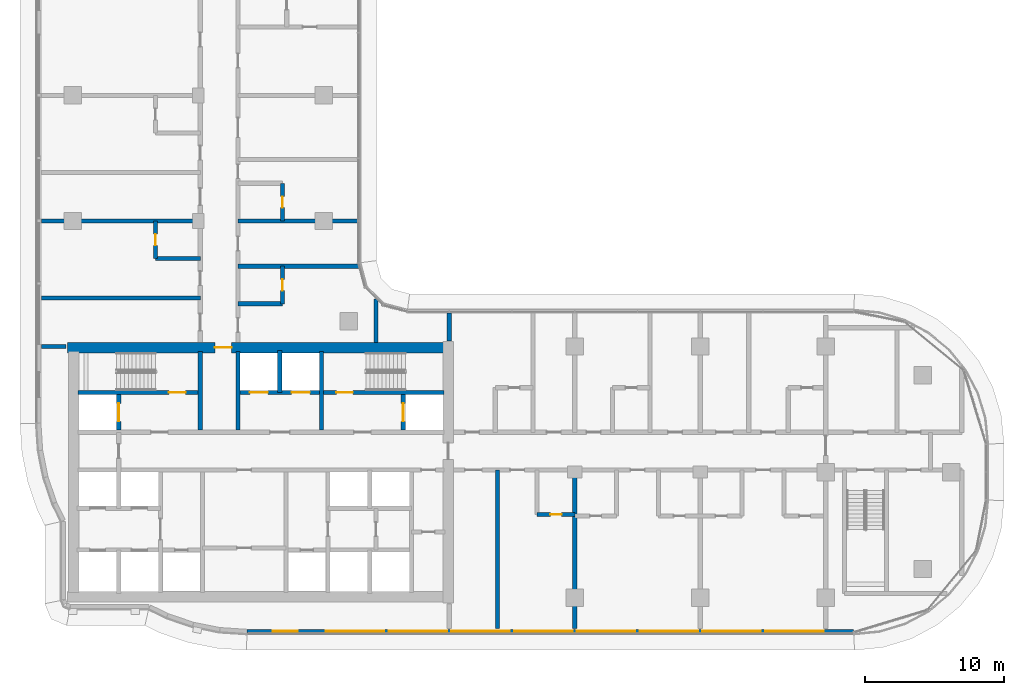
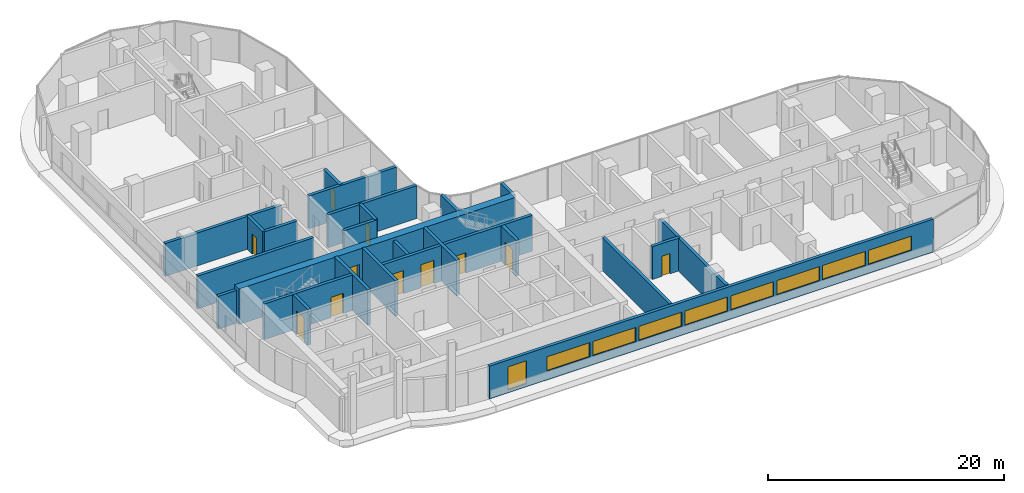
# One storey, part 11 of 25: 25 walls, 11 doors, 9 windows, 20 openings.
"""IFC4 building model written with IfcOpenShell, lengths in metres."""

from ifc_helpers import new_model, si_unit, direction, frame, frame_2d, origin, place, context, subcontext, project, spatial, rectangle, extrude, material, layer, layer_set, type_object, element, fill, save


model = new_model("IFC4")

# Units and contexts
model_context = context("Model", 3, precision=1e-05, world=origin(), true_north=direction((0.0, 1.0)))
body_context = subcontext(model_context, "Body", "Model", "MODEL_VIEW")
ifc_project = project(units=[si_unit("LENGTHUNIT", "METRE"), si_unit("AREAUNIT", "SQUARE_METRE"), si_unit("VOLUMEUNIT", "CUBIC_METRE"), si_unit("PLANEANGLEUNIT", "RADIAN"), si_unit("MASSUNIT", "GRAM", prefix="KILO")], contexts=[model_context])

# Site, building, storey
site_placement = place(None, origin())
site = spatial("IfcSite", under=ifc_project, at=site_placement, CompositionType="ELEMENT")
building_placement = place(site_placement, origin())
building = spatial("IfcBuilding", under=site, at=building_placement, Name="Ogive Portal Towers", CompositionType="ELEMENT")
storey_placement = place(building_placement, frame((0.0, 0.0, 116.699951171875)))
storey = spatial("IfcBuildingStorey", under=building, at=storey_placement, Name="L28", CompositionType="ELEMENT", Elevation=116.699951171875)

# Wall, opening, door
ifc_material_1 = material(Name="Concrete C60/75", Category="concrete")
ifc_layer_1 = layer(ifc_material_1, 0.300048828125)
ifc_layer_set_1 = layer_set([ifc_layer_1], Name="CORE WALL 300 C60")
wall_type_1 = type_object("IfcWallType", Name="CORE WALL 300 C60", PredefinedType="SHEAR", material=ifc_layer_set_1)
wall_1_placement = place(storey_placement, frame((31.875, 36.199951171875, 0.0), z_axis=(0.0, 0.0, 1.0), x_axis=(1.0, 0.0, 0.0)))
wall_1 = element("IfcWall", 1, at=wall_1_placement, inside=storey, type_object=wall_type_1, Name="Core wall Y3a L28", PredefinedType="SHEAR", context=body_context, shape_type="SweptSolid", body=[
    extrude(rectangle(XDim=8.625, YDim=0.300048828125, at=frame_2d((4.3125, 0.0))), origin(), (0.0, 0.0, 1.0), 3.699951171875),
])
opening_1_placement = place(wall_1_placement, frame((6.52490234375, 0.0, 0.0)))
opening_1 = element("IfcOpeningElement", 2, at=opening_1_placement, cuts=wall_1, Name="Opening D10-005", PredefinedType="OPENING", context=body_context, shape_type="SweptSolid", body=[
    extrude(rectangle(XDim=1.199951171875, YDim=2.10009765625, at=frame_2d((0.60009765625, 1.050048828125))), frame((0.0, 0.16015625, 0.0), z_axis=(0.0, -1.0, 0.0), x_axis=(1.0, 0.0, 0.0)), (0.0, 0.0, 1.0), 0.320068359375),
])
ifc_material_2 = material(Name="Steel fire door", Category="steel")
door_type_1 = type_object("IfcDoorType", Name="DT-SWING-1200x2100-FD90S", OperationType="SINGLE_SWING_LEFT", PredefinedType="DOOR", material=ifc_material_2)
door_1_placement = place(opening_1_placement, origin())
door_1 = element("IfcDoor", 3, at=door_1_placement, inside=storey, type_object=door_type_1, Name="Door D10-005", OperationType="SINGLE_SWING_RIGHT", OverallHeight=2.10009765625, OverallWidth=1.199951171875, PredefinedType="DOOR", context=body_context, shape_type="SweptSolid", body=[
    extrude(rectangle(XDim=1.199951171875, YDim=2.10009765625, at=frame_2d((0.60009765625, 1.050048828125))), frame((0.0, 0.02490234375, 0.0), z_axis=(0.0, -1.0, 0.0), x_axis=(1.0, 0.0, 0.0)), (0.0, 0.0, 1.0), 0.050048828125),
])
fill(opening_1, door_1)

# Wall, openings, doors
wall_2_placement = place(storey_placement, frame((43.5, 36.199951171875, 0.0), z_axis=(0.0, 0.0, 1.0), x_axis=(1.0, 0.0, 0.0)))
wall_2 = element("IfcWall", 4, at=wall_2_placement, inside=storey, type_object=wall_type_1, Name="Core wall Y3b L28", PredefinedType="SHEAR", context=body_context, shape_type="SweptSolid", body=[
    extrude(rectangle(XDim=14.625, YDim=0.300048828125, at=frame_2d((7.3125, 0.0))), origin(), (0.0, 0.0, 1.0), 3.699951171875),
])
opening_2_placement = place(wall_2_placement, frame((6.89990234375, 0.0, 0.0)))
opening_2 = element("IfcOpeningElement", 5, at=opening_2_placement, cuts=wall_2, Name="Opening D10-006", PredefinedType="OPENING", context=body_context, shape_type="SweptSolid", body=[
    extrude(rectangle(XDim=1.199951171875, YDim=2.10009765625, at=frame_2d((0.60009765625, 1.050048828125))), frame((0.0, 0.16015625, 0.0), z_axis=(0.0, -1.0, 0.0), x_axis=(1.0, 0.0, 0.0)), (0.0, 0.0, 1.0), 0.320068359375),
])
opening_3_placement = place(wall_2_placement, frame((0.699951171875, 0.0, 0.0)))
opening_3 = element("IfcOpeningElement", 6, at=opening_3_placement, cuts=wall_2, Name="Opening D10-017", PredefinedType="OPENING", context=body_context, shape_type="SweptSolid", body=[
    extrude(rectangle(XDim=1.300048828125, YDim=2.39990234375, at=frame_2d((0.64990234375, 1.199951171875))), frame((0.0, 0.16015625, 0.0), z_axis=(0.0, -1.0, 0.0), x_axis=(1.0, 0.0, 0.0)), (0.0, 0.0, 1.0), 0.320068359375),
])
opening_4_placement = place(wall_2_placement, frame((3.699951171875, 0.0, 0.0)))
opening_4 = element("IfcOpeningElement", 7, at=opening_4_placement, cuts=wall_2, Name="Opening D10-018", PredefinedType="OPENING", context=body_context, shape_type="SweptSolid", body=[
    extrude(rectangle(XDim=1.300048828125, YDim=2.39990234375, at=frame_2d((0.64990234375, 1.199951171875))), frame((0.0, 0.16015625, 0.0), z_axis=(0.0, -1.0, 0.0), x_axis=(1.0, 0.0, 0.0)), (0.0, 0.0, 1.0), 0.320068359375),
])
ifc_material_3 = material(Name="Stainless steel", Category="steel")
door_type_2 = type_object("IfcDoorType", Name="DT-LD-1300x2400", OperationType="SLIDING_TO_LEFT", PredefinedType="DOOR", material=ifc_material_3)
door_2_placement = place(opening_3_placement, origin())
door_2 = element("IfcDoor", 8, at=door_2_placement, inside=storey, type_object=door_type_2, Name="Door D10-017", OperationType="SLIDING_TO_LEFT", OverallHeight=2.39990234375, OverallWidth=1.300048828125, PredefinedType="DOOR", context=body_context, shape_type="SweptSolid", body=[
    extrude(rectangle(XDim=1.300048828125, YDim=2.39990234375, at=frame_2d((0.64990234375, 1.199951171875))), frame((0.0, 0.02490234375, 0.0), z_axis=(0.0, -1.0, 0.0), x_axis=(1.0, 0.0, 0.0)), (0.0, 0.0, 1.0), 0.050048828125),
])
fill(opening_3, door_2)
door_3_placement = place(opening_4_placement, origin())
door_3 = element("IfcDoor", 9, at=door_3_placement, inside=storey, type_object=door_type_2, Name="Door D10-018", OperationType="SLIDING_TO_LEFT", OverallHeight=2.39990234375, OverallWidth=1.300048828125, PredefinedType="DOOR", context=body_context, shape_type="SweptSolid", body=[
    extrude(rectangle(XDim=1.300048828125, YDim=2.39990234375, at=frame_2d((0.64990234375, 1.199951171875))), frame((0.0, 0.02490234375, 0.0), z_axis=(0.0, -1.0, 0.0), x_axis=(1.0, 0.0, 0.0)), (0.0, 0.0, 1.0), 0.050048828125),
])
fill(opening_4, door_3)
door_4_placement = place(opening_2_placement, origin())
door_4 = element("IfcDoor", 10, at=door_4_placement, inside=storey, type_object=door_type_1, Name="Door D10-006", OperationType="SINGLE_SWING_LEFT", OverallHeight=2.10009765625, OverallWidth=1.199951171875, PredefinedType="DOOR", context=body_context, shape_type="SweptSolid", body=[
    extrude(rectangle(XDim=1.199951171875, YDim=2.10009765625, at=frame_2d((0.60009765625, 1.050048828125))), frame((0.0, 0.02490234375, 0.0), z_axis=(0.0, -1.0, 0.0), x_axis=(1.0, 0.0, 0.0)), (0.0, 0.0, 1.0), 0.050048828125),
])
fill(opening_2, door_4)

# Walls
for number, where, z_axis, x_axis, name in (
    (11, (40.64990234375, 33.5, 0.0), (0.0, 0.0, 1.0), (0.0, 1.0, 0.0), "Core wall X6 L28"),
    (12, (43.35009765625, 33.5, 0.0), (0.0, 0.0, 1.0), (0.0, 1.0, 0.0), "Core wall X7 L28"),
):
    element("IfcWall", number, at=place(storey_placement, frame(where, z_axis=z_axis, x_axis=x_axis)), inside=storey, type_object=wall_type_1, Name=name, PredefinedType="SHEAR", context=body_context, shape_type="SweptSolid", body=[
        extrude(rectangle(XDim=5.625, YDim=0.300048828125, at=frame_2d((2.8125, 0.0))), origin(), (0.0, 0.0, 1.0), 3.699951171875),
    ])

# Wall, opening, door
wall_3_placement = place(storey_placement, frame((34.800048828125, 33.5, 0.0), z_axis=(0.0, 0.0, 1.0), x_axis=(0.0, 1.0, 0.0)))
wall_3 = element("IfcWall", 13, at=wall_3_placement, inside=storey, type_object=wall_type_1, Name="Core wall X8 L28", PredefinedType="SHEAR", context=body_context, shape_type="SweptSolid", body=[
    extrude(rectangle(XDim=2.550048828125, YDim=0.300048828125, at=frame_2d((1.27490234375, 0.0))), origin(), (0.0, 0.0, 1.0), 3.699951171875),
])
opening_5_placement = place(wall_3_placement, frame((0.625, 0.0, 0.0)))
opening_5 = element("IfcOpeningElement", 14, at=opening_5_placement, cuts=wall_3, Name="Opening D10-019", PredefinedType="OPENING", context=body_context, shape_type="SweptSolid", body=[
    extrude(rectangle(XDim=1.300048828125, YDim=2.39990234375, at=frame_2d((0.64990234375, 1.199951171875))), frame((0.0, 0.16015625, 0.0), z_axis=(0.0, -1.0, 0.0), x_axis=(1.0, 0.0, 0.0)), (0.0, 0.0, 1.0), 0.320068359375),
])
door_5_placement = place(opening_5_placement, origin())
door_5 = element("IfcDoor", 15, at=door_5_placement, inside=storey, type_object=door_type_2, Name="Door D10-019", OperationType="SLIDING_TO_LEFT", OverallHeight=2.39990234375, OverallWidth=1.300048828125, PredefinedType="DOOR", context=body_context, shape_type="SweptSolid", body=[
    extrude(rectangle(XDim=1.300048828125, YDim=2.39990234375, at=frame_2d((0.64990234375, 1.199951171875))), frame((0.0, 0.02490234375, 0.0), z_axis=(0.0, -1.0, 0.0), x_axis=(1.0, 0.0, 0.0)), (0.0, 0.0, 1.0), 0.050048828125),
])
fill(opening_5, door_5)

# Wall
wall_4_placement = place(storey_placement, frame((49.35009765625, 33.5, 0.0), z_axis=(0.0, 0.0, 1.0), x_axis=(0.0, 1.0, 0.0)))
element("IfcWall", 16, at=wall_4_placement, inside=storey, type_object=wall_type_1, Name="Core wall X9 L28", PredefinedType="SHEAR", context=body_context, shape_type="SweptSolid", body=[
    extrude(rectangle(XDim=5.625, YDim=0.300048828125, at=frame_2d((2.8125, 0.0))), origin(), (0.0, 0.0, 1.0), 3.699951171875),
])

# Wall, opening, door
wall_5_placement = place(storey_placement, frame((55.199951171875, 33.5, 0.0), z_axis=(0.0, 0.0, 1.0), x_axis=(0.0, 1.0, 0.0)))
wall_5 = element("IfcWall", 17, at=wall_5_placement, inside=storey, type_object=wall_type_1, Name="Core wall X10 L28", PredefinedType="SHEAR", context=body_context, shape_type="SweptSolid", body=[
    extrude(rectangle(XDim=2.550048828125, YDim=0.300048828125, at=frame_2d((1.27490234375, 0.0))), origin(), (0.0, 0.0, 1.0), 3.699951171875),
])
opening_6_placement = place(wall_5_placement, frame((0.625, 0.0, 0.0)))
opening_6 = element("IfcOpeningElement", 18, at=opening_6_placement, cuts=wall_5, Name="Opening D10-020", PredefinedType="OPENING", context=body_context, shape_type="SweptSolid", body=[
    extrude(rectangle(XDim=1.300048828125, YDim=2.39990234375, at=frame_2d((0.64990234375, 1.199951171875))), frame((0.0, 0.16015625, 0.0), z_axis=(0.0, -1.0, 0.0), x_axis=(1.0, 0.0, 0.0)), (0.0, 0.0, 1.0), 0.320068359375),
])
door_6_placement = place(opening_6_placement, origin())
door_6 = element("IfcDoor", 19, at=door_6_placement, inside=storey, type_object=door_type_2, Name="Door D10-020", OperationType="SLIDING_TO_LEFT", OverallHeight=2.39990234375, OverallWidth=1.300048828125, PredefinedType="DOOR", context=body_context, shape_type="SweptSolid", body=[
    extrude(rectangle(XDim=1.300048828125, YDim=2.39990234375, at=frame_2d((0.64990234375, 1.199951171875))), frame((0.0, 0.02490234375, 0.0), z_axis=(0.0, -1.0, 0.0), x_axis=(1.0, 0.0, 0.0)), (0.0, 0.0, 1.0), 0.050048828125),
])
fill(opening_6, door_6)

ifc_layer_2 = layer(ifc_material_1, 0.75)
ifc_layer_set_2 = layer_set([ifc_layer_2], Name="CORE WALL 750 C60")
wall_type_2 = type_object("IfcWallType", Name="CORE WALL 750 C60", PredefinedType="SHEAR", material=ifc_layer_set_2)
wall_6_placement = place(storey_placement, frame((31.125, 39.425048828125, 0.0), z_axis=(0.0, 0.0, 1.0), x_axis=(1.0, 0.0, 0.0)))
wall_6 = element("IfcWall", 20, at=wall_6_placement, inside=storey, type_object=wall_type_2, Name="Core wall N L28", PredefinedType="SHEAR", context=body_context, shape_type="SweptSolid", body=[
    extrude(rectangle(XDim=27.0, YDim=0.75, at=frame_2d((13.5, 0.0))), origin(), (0.0, 0.0, 1.0), 3.699951171875),
])
opening_7_placement = place(wall_6_placement, frame((10.574951171875, 0.0, 0.0)))
opening_7 = element("IfcOpeningElement", 21, at=opening_7_placement, cuts=wall_6, Name="Opening D10-012", PredefinedType="OPENING", context=body_context, shape_type="SweptSolid", body=[
    extrude(rectangle(XDim=1.199951171875, YDim=2.10009765625, at=frame_2d((0.60009765625, 1.050048828125))), frame((0.0, 0.385009765625, 0.0), z_axis=(0.0, -1.0, 0.0), x_axis=(1.0, 0.0, 0.0)), (0.0, 0.0, 1.0), 0.77001953125),
])
door_7_placement = place(opening_7_placement, origin())
door_7 = element("IfcDoor", 22, at=door_7_placement, inside=storey, type_object=door_type_1, Name="Door D10-012", OperationType="SINGLE_SWING_RIGHT", OverallHeight=2.10009765625, OverallWidth=1.199951171875, PredefinedType="DOOR", context=body_context, shape_type="SweptSolid", body=[
    extrude(rectangle(XDim=1.199951171875, YDim=2.10009765625, at=frame_2d((0.60009765625, 1.050048828125))), frame((0.0, 0.02490234375, 0.0), z_axis=(0.0, -1.0, 0.0), x_axis=(1.0, 0.0, 0.0)), (0.0, 0.0, 1.0), 0.050048828125),
])
fill(opening_7, door_7)

# Wall, openings, windows
ifc_material_4 = material(Name="Limestone cladding on lightweight block wall", Category="masonry")
ifc_layer_3 = layer(ifc_material_4, 0.300048828125)
ifc_layer_set_3 = layer_set([ifc_layer_3], Name="EXTERNAL WALL 300 STONE")
wall_type_3 = type_object("IfcWallType", Name="EXTERNAL WALL 300 STONE", PredefinedType="SOLIDWALL", material=ifc_layer_set_3)
wall_7_placement = place(storey_placement, frame((44.009765625, 19.074951171875, 0.0), z_axis=(0.0, 0.0, 1.0), x_axis=(1.0, 0.0, 0.0)))
wall_7 = element("IfcWall", 23, at=wall_7_placement, inside=storey, type_object=wall_type_3, Name="A:L28:f08:r0:wall", PredefinedType="SOLIDWALL", context=body_context, shape_type="SweptSolid", body=[
    extrude(rectangle(XDim=43.478271484375, YDim=0.300048828125, at=frame_2d((21.7392578125, 0.0))), origin(), (0.0, 0.0, 1.0), 3.400146484375),
])
opening_8_placement = place(wall_7_placement, frame((1.844970703125, 0.0, 0.300048828125)))
opening_8 = element("IfcOpeningElement", 24, at=opening_8_placement, cuts=wall_7, Name="Opening WN10", PredefinedType="OPENING", context=body_context, shape_type="SweptSolid", body=[
    extrude(rectangle(XDim=1.800048828125, YDim=2.39990234375, at=frame_2d((0.89990234375, 1.199951171875))), frame((0.0, 0.16015625, 0.0), z_axis=(0.0, -1.0, 0.0), x_axis=(1.0, 0.0, 0.0)), (0.0, 0.0, 1.0), 0.320068359375),
])
opening_9_placement = place(wall_7_placement, frame((5.64013671875, 0.0, 0.89990234375)))
opening_9 = element("IfcOpeningElement", 25, at=opening_9_placement, cuts=wall_7, Name="Opening WN11", PredefinedType="OPENING", context=body_context, shape_type="SweptSolid", body=[
    extrude(rectangle(XDim=4.199951171875, YDim=1.5, at=frame_2d((2.10009765625, 0.75))), frame((0.0, 0.16015625, 0.0), z_axis=(0.0, -1.0, 0.0), x_axis=(1.0, 0.0, 0.0)), (0.0, 0.0, 1.0), 0.320068359375),
])
opening_10_placement = place(wall_7_placement, frame((10.14013671875, 0.0, 0.89990234375)))
opening_10 = element("IfcOpeningElement", 26, at=opening_10_placement, cuts=wall_7, Name="Opening WN11", PredefinedType="OPENING", context=body_context, shape_type="SweptSolid", body=[
    extrude(rectangle(XDim=4.199951171875, YDim=1.5, at=frame_2d((2.10009765625, 0.75))), frame((0.0, 0.16015625, 0.0), z_axis=(0.0, -1.0, 0.0), x_axis=(1.0, 0.0, 0.0)), (0.0, 0.0, 1.0), 0.320068359375),
])
opening_11_placement = place(wall_7_placement, frame((14.64013671875, 0.0, 0.89990234375)))
opening_11 = element("IfcOpeningElement", 27, at=opening_11_placement, cuts=wall_7, Name="Opening WN11", PredefinedType="OPENING", context=body_context, shape_type="SweptSolid", body=[
    extrude(rectangle(XDim=4.199951171875, YDim=1.5, at=frame_2d((2.10009765625, 0.75))), frame((0.0, 0.16015625, 0.0), z_axis=(0.0, -1.0, 0.0), x_axis=(1.0, 0.0, 0.0)), (0.0, 0.0, 1.0), 0.320068359375),
])
opening_12_placement = place(wall_7_placement, frame((19.14013671875, 0.0, 0.89990234375)))
opening_12 = element("IfcOpeningElement", 28, at=opening_12_placement, cuts=wall_7, Name="Opening WN11", PredefinedType="OPENING", context=body_context, shape_type="SweptSolid", body=[
    extrude(rectangle(XDim=4.199951171875, YDim=1.5, at=frame_2d((2.10009765625, 0.75))), frame((0.0, 0.16015625, 0.0), z_axis=(0.0, -1.0, 0.0), x_axis=(1.0, 0.0, 0.0)), (0.0, 0.0, 1.0), 0.320068359375),
])
opening_13_placement = place(wall_7_placement, frame((23.64013671875, 0.0, 0.89990234375)))
opening_13 = element("IfcOpeningElement", 29, at=opening_13_placement, cuts=wall_7, Name="Opening WN11", PredefinedType="OPENING", context=body_context, shape_type="SweptSolid", body=[
    extrude(rectangle(XDim=4.199951171875, YDim=1.5, at=frame_2d((2.10009765625, 0.75))), frame((0.0, 0.16015625, 0.0), z_axis=(0.0, -1.0, 0.0), x_axis=(1.0, 0.0, 0.0)), (0.0, 0.0, 1.0), 0.320068359375),
])
opening_14_placement = place(wall_7_placement, frame((28.14013671875, 0.0, 0.89990234375)))
opening_14 = element("IfcOpeningElement", 30, at=opening_14_placement, cuts=wall_7, Name="Opening WN11", PredefinedType="OPENING", context=body_context, shape_type="SweptSolid", body=[
    extrude(rectangle(XDim=4.199951171875, YDim=1.5, at=frame_2d((2.10009765625, 0.75))), frame((0.0, 0.16015625, 0.0), z_axis=(0.0, -1.0, 0.0), x_axis=(1.0, 0.0, 0.0)), (0.0, 0.0, 1.0), 0.320068359375),
])
opening_15_placement = place(wall_7_placement, frame((32.64013671875, 0.0, 0.89990234375)))
opening_15 = element("IfcOpeningElement", 31, at=opening_15_placement, cuts=wall_7, Name="Opening WN11", PredefinedType="OPENING", context=body_context, shape_type="SweptSolid", body=[
    extrude(rectangle(XDim=4.199951171875, YDim=1.5, at=frame_2d((2.10009765625, 0.75))), frame((0.0, 0.16015625, 0.0), z_axis=(0.0, -1.0, 0.0), x_axis=(1.0, 0.0, 0.0)), (0.0, 0.0, 1.0), 0.320068359375),
])
opening_16_placement = place(wall_7_placement, frame((37.14013671875, 0.0, 0.89990234375)))
opening_16 = element("IfcOpeningElement", 32, at=opening_16_placement, cuts=wall_7, Name="Opening WN11", PredefinedType="OPENING", context=body_context, shape_type="SweptSolid", body=[
    extrude(rectangle(XDim=4.199951171875, YDim=1.5, at=frame_2d((2.10009765625, 0.75))), frame((0.0, 0.16015625, 0.0), z_axis=(0.0, -1.0, 0.0), x_axis=(1.0, 0.0, 0.0)), (0.0, 0.0, 1.0), 0.320068359375),
])
ifc_material_5 = material(Name="Glass, clear low-iron insulated glazing", Category="glass")
window_type_1 = type_object("IfcWindowType", Name="WINDOW RIBBON 4200x1500", PartitioningType="TRIPLE_PANEL_VERTICAL", PredefinedType="WINDOW", material=ifc_material_5)
window_1_placement = place(opening_9_placement, origin())
window_1 = element("IfcWindow", 33, at=window_1_placement, inside=storey, type_object=window_type_1, Name="A:L28:f08:r0:w1", OverallHeight=1.5, OverallWidth=4.199951171875, PartitioningType="SINGLE_PANEL", PredefinedType="WINDOW", context=body_context, shape_type="SweptSolid", body=[
    extrude(rectangle(XDim=4.199951171875, YDim=1.5, at=frame_2d((2.10009765625, 0.75))), frame((0.0, 0.030029296875, 0.0), z_axis=(0.0, -1.0, 0.0), x_axis=(1.0, 0.0, 0.0)), (0.0, 0.0, 1.0), 0.06005859375),
])
fill(opening_9, window_1)
window_2_placement = place(opening_10_placement, origin())
window_2 = element("IfcWindow", 34, at=window_2_placement, inside=storey, type_object=window_type_1, Name="A:L28:f08:r0:w2", OverallHeight=1.5, OverallWidth=4.199951171875, PartitioningType="SINGLE_PANEL", PredefinedType="WINDOW", context=body_context, shape_type="SweptSolid", body=[
    extrude(rectangle(XDim=4.199951171875, YDim=1.5, at=frame_2d((2.10009765625, 0.75))), frame((0.0, 0.030029296875, 0.0), z_axis=(0.0, -1.0, 0.0), x_axis=(1.0, 0.0, 0.0)), (0.0, 0.0, 1.0), 0.06005859375),
])
fill(opening_10, window_2)
window_3_placement = place(opening_11_placement, origin())
window_3 = element("IfcWindow", 35, at=window_3_placement, inside=storey, type_object=window_type_1, Name="A:L28:f08:r0:w3", OverallHeight=1.5, OverallWidth=4.199951171875, PartitioningType="SINGLE_PANEL", PredefinedType="WINDOW", context=body_context, shape_type="SweptSolid", body=[
    extrude(rectangle(XDim=4.199951171875, YDim=1.5, at=frame_2d((2.10009765625, 0.75))), frame((0.0, 0.030029296875, 0.0), z_axis=(0.0, -1.0, 0.0), x_axis=(1.0, 0.0, 0.0)), (0.0, 0.0, 1.0), 0.06005859375),
])
fill(opening_11, window_3)
window_4_placement = place(opening_12_placement, origin())
window_4 = element("IfcWindow", 36, at=window_4_placement, inside=storey, type_object=window_type_1, Name="A:L28:f08:r0:w4", OverallHeight=1.5, OverallWidth=4.199951171875, PartitioningType="SINGLE_PANEL", PredefinedType="WINDOW", context=body_context, shape_type="SweptSolid", body=[
    extrude(rectangle(XDim=4.199951171875, YDim=1.5, at=frame_2d((2.10009765625, 0.75))), frame((0.0, 0.030029296875, 0.0), z_axis=(0.0, -1.0, 0.0), x_axis=(1.0, 0.0, 0.0)), (0.0, 0.0, 1.0), 0.06005859375),
])
fill(opening_12, window_4)
window_5_placement = place(opening_13_placement, origin())
window_5 = element("IfcWindow", 37, at=window_5_placement, inside=storey, type_object=window_type_1, Name="A:L28:f08:r0:w5", OverallHeight=1.5, OverallWidth=4.199951171875, PartitioningType="SINGLE_PANEL", PredefinedType="WINDOW", context=body_context, shape_type="SweptSolid", body=[
    extrude(rectangle(XDim=4.199951171875, YDim=1.5, at=frame_2d((2.10009765625, 0.75))), frame((0.0, 0.030029296875, 0.0), z_axis=(0.0, -1.0, 0.0), x_axis=(1.0, 0.0, 0.0)), (0.0, 0.0, 1.0), 0.06005859375),
])
fill(opening_13, window_5)
window_6_placement = place(opening_14_placement, origin())
window_6 = element("IfcWindow", 38, at=window_6_placement, inside=storey, type_object=window_type_1, Name="A:L28:f08:r0:w6", OverallHeight=1.5, OverallWidth=4.199951171875, PartitioningType="SINGLE_PANEL", PredefinedType="WINDOW", context=body_context, shape_type="SweptSolid", body=[
    extrude(rectangle(XDim=4.199951171875, YDim=1.5, at=frame_2d((2.10009765625, 0.75))), frame((0.0, 0.030029296875, 0.0), z_axis=(0.0, -1.0, 0.0), x_axis=(1.0, 0.0, 0.0)), (0.0, 0.0, 1.0), 0.06005859375),
])
fill(opening_14, window_6)
window_7_placement = place(opening_15_placement, origin())
window_7 = element("IfcWindow", 39, at=window_7_placement, inside=storey, type_object=window_type_1, Name="A:L28:f08:r0:w7", OverallHeight=1.5, OverallWidth=4.199951171875, PartitioningType="SINGLE_PANEL", PredefinedType="WINDOW", context=body_context, shape_type="SweptSolid", body=[
    extrude(rectangle(XDim=4.199951171875, YDim=1.5, at=frame_2d((2.10009765625, 0.75))), frame((0.0, 0.030029296875, 0.0), z_axis=(0.0, -1.0, 0.0), x_axis=(1.0, 0.0, 0.0)), (0.0, 0.0, 1.0), 0.06005859375),
])
fill(opening_15, window_7)
window_8_placement = place(opening_16_placement, origin())
window_8 = element("IfcWindow", 40, at=window_8_placement, inside=storey, type_object=window_type_1, Name="A:L28:f08:r0:w8", OverallHeight=1.5, OverallWidth=4.199951171875, PartitioningType="SINGLE_PANEL", PredefinedType="WINDOW", context=body_context, shape_type="SweptSolid", body=[
    extrude(rectangle(XDim=4.199951171875, YDim=1.5, at=frame_2d((2.10009765625, 0.75))), frame((0.0, 0.030029296875, 0.0), z_axis=(0.0, -1.0, 0.0), x_axis=(1.0, 0.0, 0.0)), (0.0, 0.0, 1.0), 0.06005859375),
])
fill(opening_16, window_8)
window_type_2 = type_object("IfcWindowType", Name="WINDOW SUITE CORNER 1800x2400", PartitioningType="DOUBLE_PANEL_VERTICAL", PredefinedType="WINDOW", material=ifc_material_5)
window_9_placement = place(opening_8_placement, origin())
window_9 = element("IfcWindow", 41, at=window_9_placement, inside=storey, type_object=window_type_2, Name="A:L28:f08:r0:w0", OverallHeight=2.39990234375, OverallWidth=1.800048828125, PartitioningType="SINGLE_PANEL", PredefinedType="WINDOW", context=body_context, shape_type="SweptSolid", body=[
    extrude(rectangle(XDim=1.800048828125, YDim=2.39990234375, at=frame_2d((0.89990234375, 1.199951171875))), frame((0.0, 0.030029296875, 0.0), z_axis=(0.0, -1.0, 0.0), x_axis=(1.0, 0.0, 0.0)), (0.0, 0.0, 1.0), 0.06005859375),
])
fill(opening_8, window_9)

# Wall, opening, door
ifc_material_6 = material(Name="Gypsum board partition on steel studs", Category="steel")
ifc_layer_4 = layer(ifc_material_6, 0.300048828125)
ifc_layer_set_4 = layer_set([ifc_layer_4], Name="WT-PART-300-EI 60")
wall_type_4 = type_object("IfcWallType", Name="WT-PART-300-EI 60", PredefinedType="PARTITIONING", material=ifc_layer_set_4)
wall_8_placement = place(storey_placement, frame((64.800048828125, 27.449951171875, 0.0), z_axis=(0.0, 0.0, 1.0), x_axis=(1.0, 0.0, 0.0)))
wall_8 = element("IfcWall", 42, at=wall_8_placement, inside=storey, type_object=wall_type_4, Name="Wall L28:w005", PredefinedType="PARTITIONING", context=body_context, shape_type="SweptSolid", body=[
    extrude(rectangle(XDim=2.699951171875, YDim=0.300048828125, at=frame_2d((1.35009765625, 0.0))), origin(), (0.0, 0.0, 1.0), 3.400146484375),
])
opening_17_placement = place(wall_8_placement, frame((0.949951171875, 0.0, 0.0)))
opening_17 = element("IfcOpeningElement", 43, at=opening_17_placement, cuts=wall_8, Name="Opening D10-030", PredefinedType="OPENING", context=body_context, shape_type="SweptSolid", body=[
    extrude(rectangle(XDim=0.800048828125, YDim=2.10009765625, at=frame_2d((0.39990234375, 1.050048828125))), frame((0.0, 0.16015625, 0.0), z_axis=(0.0, -1.0, 0.0), x_axis=(1.0, 0.0, 0.0)), (0.0, 0.0, 1.0), 0.320068359375),
])
door_type_3 = type_object("IfcDoorType", Name="DT-BATH-800x2100-FD60S", OperationType="SINGLE_SWING_LEFT", PredefinedType="DOOR", material=ifc_material_2)
door_8_placement = place(opening_17_placement, origin())
door_8 = element("IfcDoor", 44, at=door_8_placement, inside=storey, type_object=door_type_3, Name="Door D10-030", OperationType="SINGLE_SWING_RIGHT", OverallHeight=2.10009765625, OverallWidth=0.800048828125, PredefinedType="DOOR", context=body_context, shape_type="SweptSolid", body=[
    extrude(rectangle(XDim=0.800048828125, YDim=2.10009765625, at=frame_2d((0.39990234375, 1.050048828125))), frame((0.0, 0.02490234375, 0.0), z_axis=(0.0, -1.0, 0.0), x_axis=(1.0, 0.0, 0.0)), (0.0, 0.0, 1.0), 0.050048828125),
])
fill(opening_17, door_8)

# Walls
wall_9_placement = place(storey_placement, frame((29.27490234375, 39.5, 0.0), z_axis=(0.0, 0.0, 1.0), x_axis=(1.0, 0.0, 0.0)))
element("IfcWall", 45, at=wall_9_placement, inside=storey, type_object=wall_type_4, Name="Wall L28:w013", PredefinedType="PARTITIONING", context=body_context, shape_type="SweptSolid", body=[
    extrude(rectangle(XDim=1.755126953125, YDim=0.300048828125, at=frame_2d((0.87744140625, 0.0))), origin(), (0.0, 0.0, 1.0), 3.400146484375),
])
wall_10_placement = place(storey_placement, frame((43.35009765625, 42.56005859375, 0.0), z_axis=(0.0, 0.0, 1.0), x_axis=(1.0, 0.0, 0.0)))
element("IfcWall", 46, at=wall_10_placement, inside=storey, type_object=wall_type_4, Name="Wall L28:w015", PredefinedType="PARTITIONING", context=body_context, shape_type="SweptSolid", body=[
    extrude(rectangle(XDim=3.199951171875, YDim=0.300048828125, at=frame_2d((1.60009765625, 0.0))), origin(), (0.0, 0.0, 1.0), 3.400146484375),
])
wall_11_placement = place(storey_placement, frame((29.27490234375, 42.969970703125, 0.0), z_axis=(0.0, 0.0, 1.0), x_axis=(1.0, 0.0, 0.0)))
element("IfcWall", 47, at=wall_11_placement, inside=storey, type_object=wall_type_4, Name="Wall L28:w016", PredefinedType="PARTITIONING", context=body_context, shape_type="SweptSolid", body=[
    extrude(rectangle(XDim=11.375, YDim=0.300048828125, at=frame_2d((5.6875, 0.0))), origin(), (0.0, 0.0, 1.0), 3.400146484375),
])
wall_12_placement = place(storey_placement, frame((43.35009765625, 45.260009765625, 0.0), z_axis=(0.0, 0.0, 1.0), x_axis=(1.0, 0.0, 0.0)))
element("IfcWall", 48, at=wall_12_placement, inside=storey, type_object=wall_type_4, Name="Wall L28:w017", PredefinedType="PARTITIONING", context=body_context, shape_type="SweptSolid", body=[
    extrude(rectangle(XDim=8.67578125, YDim=0.300048828125, at=frame_2d((4.337890625, 0.0))), origin(), (0.0, 0.0, 1.0), 3.400146484375),
])
wall_13_placement = place(storey_placement, frame((37.449951171875, 45.800048828125, 0.0), z_axis=(0.0, 0.0, 1.0), x_axis=(1.0, 0.0, 0.0)))
element("IfcWall", 49, at=wall_13_placement, inside=storey, type_object=wall_type_4, Name="Wall L28:w018", PredefinedType="PARTITIONING", context=body_context, shape_type="SweptSolid", body=[
    extrude(rectangle(XDim=3.199951171875, YDim=0.300048828125, at=frame_2d((1.60009765625, 0.0))), origin(), (0.0, 0.0, 1.0), 3.400146484375),
])
wall_14_placement = place(storey_placement, frame((29.27490234375, 48.5, 0.0), z_axis=(0.0, 0.0, 1.0), x_axis=(1.0, 0.0, 0.0)))
element("IfcWall", 50, at=wall_14_placement, inside=storey, type_object=wall_type_4, Name="Wall L28:w019", PredefinedType="PARTITIONING", context=body_context, shape_type="SweptSolid", body=[
    extrude(rectangle(XDim=11.375, YDim=0.300048828125, at=frame_2d((5.6875, 0.0))), origin(), (0.0, 0.0, 1.0), 3.400146484375),
])
wall_15_placement = place(storey_placement, frame((43.35009765625, 48.5, 0.0), z_axis=(0.0, 0.0, 1.0), x_axis=(1.0, 0.0, 0.0)))
element("IfcWall", 51, at=wall_15_placement, inside=storey, type_object=wall_type_4, Name="Wall L28:w020", PredefinedType="PARTITIONING", context=body_context, shape_type="SweptSolid", body=[
    extrude(rectangle(XDim=8.554931640625, YDim=0.300048828125, at=frame_2d((4.27734375, 0.0))), origin(), (0.0, 0.0, 1.0), 3.400146484375),
])

# Wall, opening, door
wall_16_placement = place(storey_placement, frame((37.449951171875, 45.800048828125, 0.0), z_axis=(0.0, 0.0, 1.0), x_axis=(0.0, 1.0, 0.0)))
wall_16 = element("IfcWall", 52, at=wall_16_placement, inside=storey, type_object=wall_type_4, Name="Wall L28:w035", PredefinedType="PARTITIONING", context=body_context, shape_type="SweptSolid", body=[
    extrude(rectangle(XDim=2.699951171875, YDim=0.300048828125, at=frame_2d((1.35009765625, 0.0))), origin(), (0.0, 0.0, 1.0), 3.400146484375),
])
opening_18_placement = place(wall_16_placement, frame((0.949951171875, 0.0, 0.0)))
opening_18 = element("IfcOpeningElement", 53, at=opening_18_placement, cuts=wall_16, Name="Opening D10-048", PredefinedType="OPENING", context=body_context, shape_type="SweptSolid", body=[
    extrude(rectangle(XDim=0.800048828125, YDim=2.10009765625, at=frame_2d((0.39990234375, 1.050048828125))), frame((0.0, 0.16015625, 0.0), z_axis=(0.0, -1.0, 0.0), x_axis=(1.0, 0.0, 0.0)), (0.0, 0.0, 1.0), 0.320068359375),
])
door_9_placement = place(opening_18_placement, origin())
door_9 = element("IfcDoor", 54, at=door_9_placement, inside=storey, type_object=door_type_3, Name="Door D10-048", OperationType="SINGLE_SWING_RIGHT", OverallHeight=2.10009765625, OverallWidth=0.800048828125, PredefinedType="DOOR", context=body_context, shape_type="SweptSolid", body=[
    extrude(rectangle(XDim=0.800048828125, YDim=2.10009765625, at=frame_2d((0.39990234375, 1.050048828125))), frame((0.0, 0.02490234375, 0.0), z_axis=(0.0, -1.0, 0.0), x_axis=(1.0, 0.0, 0.0)), (0.0, 0.0, 1.0), 0.050048828125),
])
fill(opening_18, door_9)

wall_17_placement = place(storey_placement, frame((46.550048828125, 42.56005859375, 0.0), z_axis=(0.0, 0.0, 1.0), x_axis=(0.0, 1.0, 0.0)))
wall_17 = element("IfcWall", 55, at=wall_17_placement, inside=storey, type_object=wall_type_4, Name="Wall L28:w042", PredefinedType="PARTITIONING", context=body_context, shape_type="SweptSolid", body=[
    extrude(rectangle(XDim=2.699951171875, YDim=0.300048828125, at=frame_2d((1.35009765625, 0.0))), origin(), (0.0, 0.0, 1.0), 3.400146484375),
])
opening_19_placement = place(wall_17_placement, frame((0.949951171875, 0.0, 0.0)))
opening_19 = element("IfcOpeningElement", 56, at=opening_19_placement, cuts=wall_17, Name="Opening D10-044", PredefinedType="OPENING", context=body_context, shape_type="SweptSolid", body=[
    extrude(rectangle(XDim=0.800048828125, YDim=2.10009765625, at=frame_2d((0.39990234375, 1.050048828125))), frame((0.0, 0.16015625, 0.0), z_axis=(0.0, -1.0, 0.0), x_axis=(1.0, 0.0, 0.0)), (0.0, 0.0, 1.0), 0.320068359375),
])
door_10_placement = place(opening_19_placement, origin())
door_10 = element("IfcDoor", 57, at=door_10_placement, inside=storey, type_object=door_type_3, Name="Door D10-044", OperationType="SINGLE_SWING_LEFT", OverallHeight=2.10009765625, OverallWidth=0.800048828125, PredefinedType="DOOR", context=body_context, shape_type="SweptSolid", body=[
    extrude(rectangle(XDim=0.800048828125, YDim=2.10009765625, at=frame_2d((0.39990234375, 1.050048828125))), frame((0.0, 0.02490234375, 0.0), z_axis=(0.0, -1.0, 0.0), x_axis=(1.0, 0.0, 0.0)), (0.0, 0.0, 1.0), 0.050048828125),
])
fill(opening_19, door_10)

wall_18_placement = place(storey_placement, frame((46.550048828125, 48.5, 0.0), z_axis=(0.0, 0.0, 1.0), x_axis=(0.0, 1.0, 0.0)))
wall_18 = element("IfcWall", 58, at=wall_18_placement, inside=storey, type_object=wall_type_4, Name="Wall L28:w043", PredefinedType="PARTITIONING", context=body_context, shape_type="SweptSolid", body=[
    extrude(rectangle(XDim=2.699951171875, YDim=0.300048828125, at=frame_2d((1.35009765625, 0.0))), origin(), (0.0, 0.0, 1.0), 3.400146484375),
])
opening_20_placement = place(wall_18_placement, frame((0.949951171875, 0.0, 0.0)))
opening_20 = element("IfcOpeningElement", 59, at=opening_20_placement, cuts=wall_18, Name="Opening D10-050", PredefinedType="OPENING", context=body_context, shape_type="SweptSolid", body=[
    extrude(rectangle(XDim=0.800048828125, YDim=2.10009765625, at=frame_2d((0.39990234375, 1.050048828125))), frame((0.0, 0.16015625, 0.0), z_axis=(0.0, -1.0, 0.0), x_axis=(1.0, 0.0, 0.0)), (0.0, 0.0, 1.0), 0.320068359375),
])
door_11_placement = place(opening_20_placement, origin())
door_11 = element("IfcDoor", 60, at=door_11_placement, inside=storey, type_object=door_type_3, Name="Door D10-050", OperationType="SINGLE_SWING_LEFT", OverallHeight=2.10009765625, OverallWidth=0.800048828125, PredefinedType="DOOR", context=body_context, shape_type="SweptSolid", body=[
    extrude(rectangle(XDim=0.800048828125, YDim=2.10009765625, at=frame_2d((0.39990234375, 1.050048828125))), frame((0.0, 0.02490234375, 0.0), z_axis=(0.0, -1.0, 0.0), x_axis=(1.0, 0.0, 0.0)), (0.0, 0.0, 1.0), 0.050048828125),
])
fill(opening_20, door_11)

# Walls
wall_19_placement = place(storey_placement, frame((53.25, 39.800048828125, 0.0), z_axis=(0.0, 0.0, 1.0), x_axis=(0.0, 1.0, 0.0)))
element("IfcWall", 61, at=wall_19_placement, inside=storey, type_object=wall_type_4, Name="Wall L28:w045", PredefinedType="PARTITIONING", context=body_context, shape_type="SweptSolid", body=[
    extrude(rectangle(XDim=3.119873046875, YDim=0.300048828125, at=frame_2d((1.56005859375, 0.0))), origin(), (0.0, 0.0, 1.0), 3.400146484375),
])
wall_20_placement = place(storey_placement, frame((58.5, 39.8798828125, 0.0), z_axis=(0.0, 0.0, 1.0), x_axis=(0.0, 1.0, 0.0)))
element("IfcWall", 62, at=wall_20_placement, inside=storey, type_object=wall_type_4, Name="Wall L28:w047", PredefinedType="PARTITIONING", context=body_context, shape_type="SweptSolid", body=[
    extrude(rectangle(XDim=2.025146484375, YDim=0.300048828125, at=frame_2d((1.0126953125, 0.0))), origin(), (0.0, 0.0, 1.0), 3.400146484375),
])
for number, where, z_axis, x_axis, name in (
    (63, (61.969970703125, 19.27490234375, 0.0), (0.0, 0.0, 1.0), (0.0, 1.0, 0.0), "Wall L28:w049"),
    (64, (67.5, 19.27490234375, 0.0), (0.0, 0.0, 1.0), (0.0, 1.0, 0.0), "Wall L28:w052"),
):
    element("IfcWall", number, at=place(storey_placement, frame(where, z_axis=z_axis, x_axis=x_axis)), inside=storey, type_object=wall_type_4, Name=name, PredefinedType="PARTITIONING", context=body_context, shape_type="SweptSolid", body=[
        extrude(rectangle(XDim=11.375, YDim=0.300048828125, at=frame_2d((5.6875, 0.0))), origin(), (0.0, 0.0, 1.0), 3.400146484375),
    ])
ifc_material_7 = material(Name="Concrete C40/50", Category="concrete")
ifc_layer_5 = layer(ifc_material_7, 0.300048828125)
ifc_layer_set_5 = layer_set([ifc_layer_5], Name="WT-SHAFT-300")
wall_type_5 = type_object("IfcWallType", Name="WT-SHAFT-300", PredefinedType="SOLIDWALL", material=ifc_layer_set_5)
wall_21_placement = place(storey_placement, frame((46.35009765625, 36.199951171875, 0.0), z_axis=(0.0, 0.0, 1.0), x_axis=(0.0, 1.0, 0.0)))
element("IfcWall", 65, at=wall_21_placement, inside=storey, type_object=wall_type_5, Name="Wall pw:009:L28", PredefinedType="SOLIDWALL", context=body_context, shape_type="SweptSolid", body=[
    extrude(rectangle(XDim=3.0, YDim=0.300048828125, at=frame_2d((1.5, 0.0))), origin(), (0.0, 0.0, 1.0), 3.400146484375),
])

save(model, "model.ifc")
